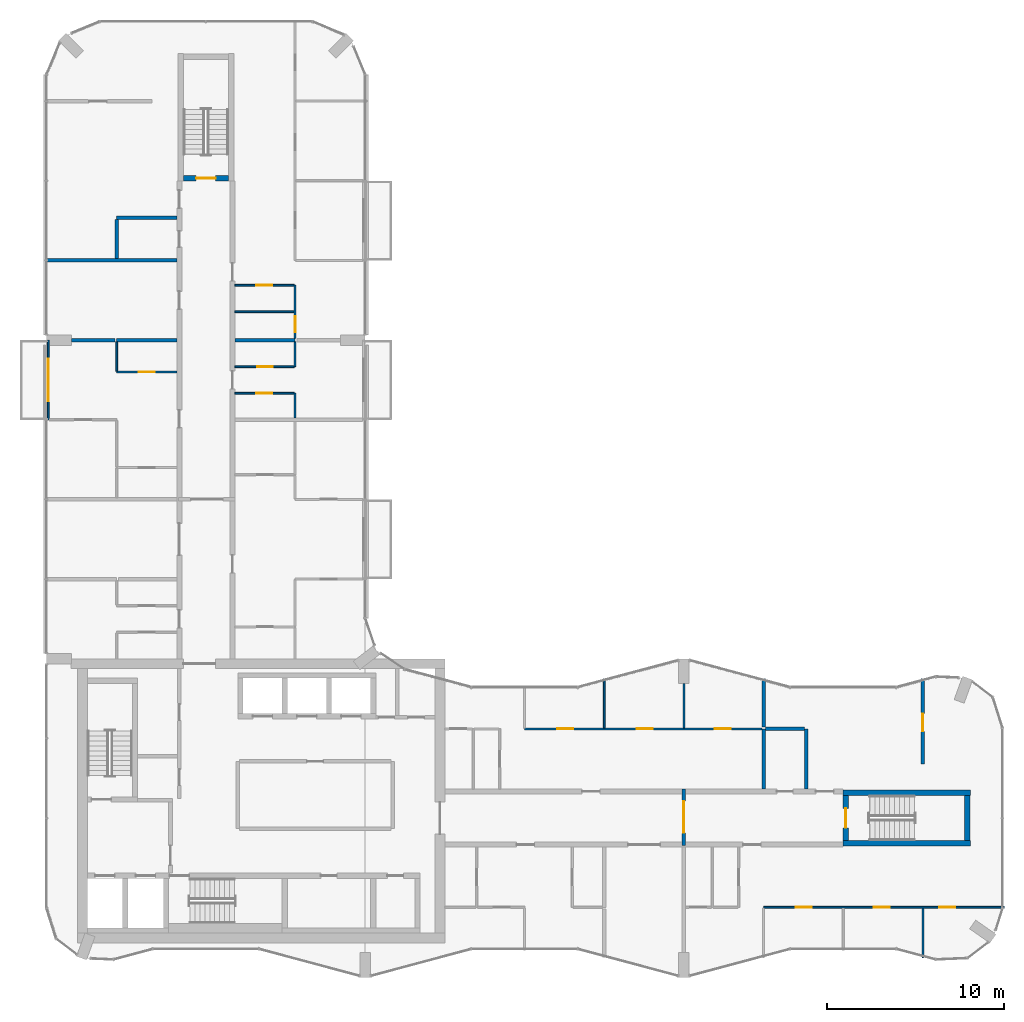
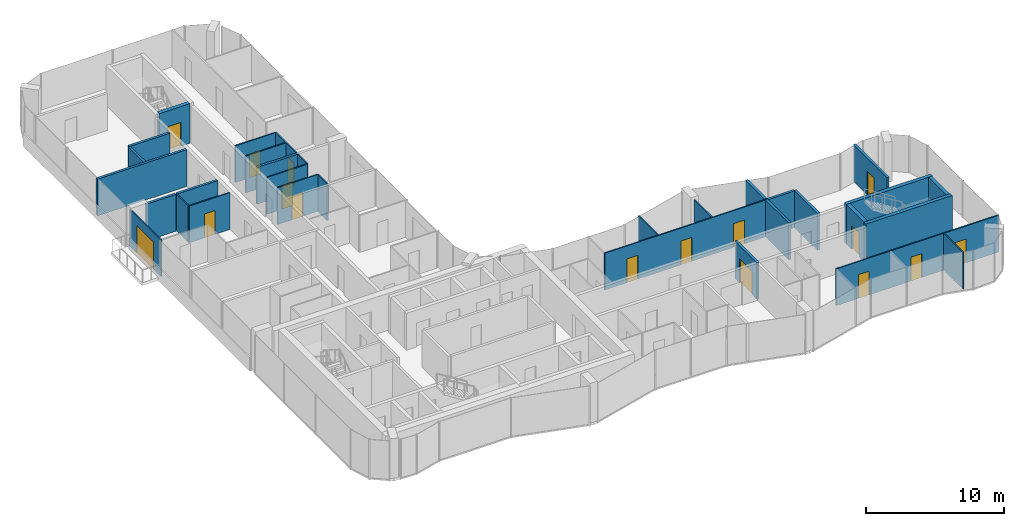
# One storey, part 12 of 15: 32 walls, 16 doors, 16 openings.
"""IFC4 building model written with IfcOpenShell, lengths in metres."""

from ifc_helpers import new_model, si_unit, direction, frame, frame_2d, origin, place, context, subcontext, project, spatial, rectangle, extrude, material, layer, layer_set, type_object, element, fill, save


model = new_model("IFC4")

# Units and contexts
model_context = context("Model", 3, precision=1e-05, world=origin(), true_north=direction((0.0, 1.0)))
body_context = subcontext(model_context, "Body", "Model", "MODEL_VIEW")
ifc_project = project(units=[si_unit("LENGTHUNIT", "METRE"), si_unit("AREAUNIT", "SQUARE_METRE"), si_unit("VOLUMEUNIT", "CUBIC_METRE"), si_unit("PLANEANGLEUNIT", "RADIAN"), si_unit("MASSUNIT", "GRAM", prefix="KILO")], contexts=[model_context])

# Site, building, storey
site_placement = place(None, origin())
site = spatial("IfcSite", under=ifc_project, at=site_placement, CompositionType="ELEMENT")
building_placement = place(site_placement, origin())
building = spatial("IfcBuilding", under=site, at=building_placement, Name="Plateau Cross Towers", CompositionType="ELEMENT")
storey_placement = place(building_placement, frame((0.0, 0.0, 208.39990234375)))
storey = spatial("IfcBuildingStorey", under=building, at=storey_placement, Name="L54", CompositionType="ELEMENT", Elevation=208.39990234375)

# Wall, opening, door
ifc_material_1 = material(Name="Aluminium framed glazing", Category="aluminium")
ifc_layer_1 = layer(ifc_material_1, 0.10009765625)
ifc_layer_set_1 = layer_set([ifc_layer_1], Name="Aluminium framed glazing")
wall_type_1 = type_object("IfcWallType", Name="Balcony screen wall 100", PredefinedType="STANDARD", material=ifc_layer_set_1)
wall_1_placement = place(storey_placement, frame((0.10009765625, 31.5, 0.0), z_axis=(0.0, 0.0, 1.0), x_axis=(0.0, 1.0, 0.0)))
wall_1 = element("IfcWall", 1, at=wall_1_placement, inside=storey, type_object=wall_type_1, Name="Balcony screen wall A-BAL-L54-01", PredefinedType="STANDARD", context=body_context, shape_type="SweptSolid", body=[
    extrude(rectangle(XDim=4.5, YDim=0.10009765625, at=frame_2d((2.25, 0.0))), origin(), (0.0, 0.0, 1.0), 3.25),
])
opening_1_placement = place(wall_1_placement, frame((1.050048828125, 0.0, 0.0)))
opening_1 = element("IfcOpeningElement", 2, at=opening_1_placement, cuts=wall_1, Name="Opening D-B24", PredefinedType="OPENING", context=body_context, shape_type="SweptSolid", body=[
    extrude(rectangle(XDim=2.39990234375, YDim=2.39990234375, at=frame_2d((1.199951171875, 1.199951171875))), frame((0.0, 0.06005859375, 0.0), z_axis=(0.0, -1.0, 0.0), x_axis=(1.0, 0.0, 0.0)), (0.0, 0.0, 1.0), 0.1201171875),
])
ifc_material_2 = material(Name="Aluminium frame, double glazing", Category="aluminium")
door_type_1 = type_object("IfcDoorType", Name="Balcony sliding door 2400", OperationType="NOTDEFINED", PredefinedType="DOOR", material=ifc_material_2)
door_1_placement = place(opening_1_placement, origin())
door_1 = element("IfcDoor", 3, at=door_1_placement, inside=storey, type_object=door_type_1, Name="Balcony door A-BAL-L54-01", OperationType="SINGLE_SWING_LEFT", OverallHeight=2.39990234375, OverallWidth=2.39990234375, PredefinedType="DOOR", context=body_context, shape_type="SweptSolid", body=[
    extrude(rectangle(XDim=2.39990234375, YDim=2.39990234375, at=frame_2d((1.199951171875, 1.199951171875))), frame((0.0, 0.02490234375, 0.0), z_axis=(0.0, -1.0, 0.0), x_axis=(1.0, 0.0, 0.0)), (0.0, 0.0, 1.0), 0.050048828125),
])
fill(opening_1, door_1)

# Wall, openings, doors
ifc_material_3 = material(Name="Gypsum board on steel studs", Category="steel")
ifc_layer_2 = layer(ifc_material_3, 0.10009765625)
ifc_layer_set_2 = layer_set([ifc_layer_2], Name="Gypsum board on steel studs")
wall_type_2 = type_object("IfcWallType", Name="Flat partition 100", PredefinedType="PARTITIONING", material=ifc_layer_set_2)
wall_2_placement = place(storey_placement, frame((54.080078125, 3.96240234375, 0.0), z_axis=(0.0, 0.0, 1.0), x_axis=(-1.0, 0.0, 0.0)))
wall_2 = element("IfcWall", 4, at=wall_2_placement, inside=storey, type_object=wall_type_2, Name="Partition wall", PredefinedType="PARTITIONING", context=body_context, shape_type="SweptSolid", body=[
    extrude(rectangle(XDim=13.580078125, YDim=0.10009765625, at=frame_2d((6.7900390625, 0.0))), origin(), (0.0, 0.0, 1.0), 3.25),
])
opening_2_placement = place(wall_2_placement, frame((10.85009765625, 0.0, 0.0)))
opening_2 = element("IfcOpeningElement", 5, at=opening_2_placement, cuts=wall_2, Name="Opening 54-25", PredefinedType="OPENING", context=body_context, shape_type="SweptSolid", body=[
    extrude(rectangle(XDim=0.89990234375, YDim=2.10009765625, at=frame_2d((0.449951171875, 1.050048828125))), frame((0.0, 0.06005859375, 0.0), z_axis=(0.0, -1.0, 0.0), x_axis=(1.0, 0.0, 0.0)), (0.0, 0.0, 1.0), 0.1201171875),
])
opening_3_placement = place(wall_2_placement, frame((6.449951171875, 0.0, 0.0)))
opening_3 = element("IfcOpeningElement", 6, at=opening_3_placement, cuts=wall_2, Name="Opening 54-26", PredefinedType="OPENING", context=body_context, shape_type="SweptSolid", body=[
    extrude(rectangle(XDim=0.89990234375, YDim=2.10009765625, at=frame_2d((0.449951171875, 1.050048828125))), frame((0.0, 0.06005859375, 0.0), z_axis=(0.0, -1.0, 0.0), x_axis=(1.0, 0.0, 0.0)), (0.0, 0.0, 1.0), 0.1201171875),
])
opening_4_placement = place(wall_2_placement, frame((2.75, 0.0, 0.0)))
opening_4 = element("IfcOpeningElement", 7, at=opening_4_placement, cuts=wall_2, Name="Opening 54-27", PredefinedType="OPENING", context=body_context, shape_type="SweptSolid", body=[
    extrude(rectangle(XDim=0.89990234375, YDim=2.10009765625, at=frame_2d((0.449951171875, 1.050048828125))), frame((0.0, 0.06005859375, 0.0), z_axis=(0.0, -1.0, 0.0), x_axis=(1.0, 0.0, 0.0)), (0.0, 0.0, 1.0), 0.1201171875),
])
ifc_material_4 = material(Name="Timber leaf", Category="wood")
door_type_2 = type_object("IfcDoorType", Name="Flat room door 900", OperationType="NOTDEFINED", PredefinedType="DOOR", material=ifc_material_4)
door_2_placement = place(opening_2_placement, origin())
door_2 = element("IfcDoor", 8, at=door_2_placement, inside=storey, type_object=door_type_2, Name="Door 54-25", OperationType="SINGLE_SWING_RIGHT", OverallHeight=2.10009765625, OverallWidth=0.89990234375, PredefinedType="DOOR", context=body_context, shape_type="SweptSolid", body=[
    extrude(rectangle(XDim=0.89990234375, YDim=2.10009765625, at=frame_2d((0.449951171875, 1.050048828125))), frame((0.0, 0.02490234375, 0.0), z_axis=(0.0, -1.0, 0.0), x_axis=(1.0, 0.0, 0.0)), (0.0, 0.0, 1.0), 0.050048828125),
])
fill(opening_2, door_2)
door_3_placement = place(opening_3_placement, origin())
door_3 = element("IfcDoor", 9, at=door_3_placement, inside=storey, type_object=door_type_2, Name="Door 54-26", OperationType="SINGLE_SWING_RIGHT", OverallHeight=2.10009765625, OverallWidth=0.89990234375, PredefinedType="DOOR", context=body_context, shape_type="SweptSolid", body=[
    extrude(rectangle(XDim=0.89990234375, YDim=2.10009765625, at=frame_2d((0.449951171875, 1.050048828125))), frame((0.0, 0.02490234375, 0.0), z_axis=(0.0, -1.0, 0.0), x_axis=(1.0, 0.0, 0.0)), (0.0, 0.0, 1.0), 0.050048828125),
])
fill(opening_3, door_3)
door_4_placement = place(opening_4_placement, origin())
door_4 = element("IfcDoor", 10, at=door_4_placement, inside=storey, type_object=door_type_2, Name="Door 54-27", OperationType="SINGLE_SWING_LEFT", OverallHeight=2.10009765625, OverallWidth=0.89990234375, PredefinedType="DOOR", context=body_context, shape_type="SweptSolid", body=[
    extrude(rectangle(XDim=0.89990234375, YDim=2.10009765625, at=frame_2d((0.449951171875, 1.050048828125))), frame((0.0, 0.02490234375, 0.0), z_axis=(0.0, -1.0, 0.0), x_axis=(1.0, 0.0, 0.0)), (0.0, 0.0, 1.0), 0.050048828125),
])
fill(opening_4, door_4)

wall_3_placement = place(storey_placement, frame((27.0, 14.03759765625, 0.0), z_axis=(0.0, 0.0, 1.0), x_axis=(1.0, 0.0, 0.0)))
wall_3 = element("IfcWall", 11, at=wall_3_placement, inside=storey, type_object=wall_type_2, Name="Partition wall", PredefinedType="PARTITIONING", context=body_context, shape_type="SweptSolid", body=[
    extrude(rectangle(XDim=13.39990234375, YDim=0.10009765625, at=frame_2d((6.699951171875, 0.0))), origin(), (0.0, 0.0, 1.0), 3.25),
])
opening_5_placement = place(wall_3_placement, frame((1.85009765625, 0.0, 0.0)))
opening_5 = element("IfcOpeningElement", 12, at=opening_5_placement, cuts=wall_3, Name="Opening 54-30", PredefinedType="OPENING", context=body_context, shape_type="SweptSolid", body=[
    extrude(rectangle(XDim=0.89990234375, YDim=2.10009765625, at=frame_2d((0.449951171875, 1.050048828125))), frame((0.0, 0.06005859375, 0.0), z_axis=(0.0, -1.0, 0.0), x_axis=(1.0, 0.0, 0.0)), (0.0, 0.0, 1.0), 0.1201171875),
])
opening_6_placement = place(wall_3_placement, frame((6.35009765625, 0.0, 0.0)))
opening_6 = element("IfcOpeningElement", 13, at=opening_6_placement, cuts=wall_3, Name="Opening 54-31", PredefinedType="OPENING", context=body_context, shape_type="SweptSolid", body=[
    extrude(rectangle(XDim=0.89990234375, YDim=2.10009765625, at=frame_2d((0.449951171875, 1.050048828125))), frame((0.0, 0.06005859375, 0.0), z_axis=(0.0, -1.0, 0.0), x_axis=(1.0, 0.0, 0.0)), (0.0, 0.0, 1.0), 0.1201171875),
])
opening_7_placement = place(wall_3_placement, frame((10.75, 0.0, 0.0)))
opening_7 = element("IfcOpeningElement", 14, at=opening_7_placement, cuts=wall_3, Name="Opening 54-32", PredefinedType="OPENING", context=body_context, shape_type="SweptSolid", body=[
    extrude(rectangle(XDim=0.89990234375, YDim=2.10009765625, at=frame_2d((0.449951171875, 1.050048828125))), frame((0.0, 0.06005859375, 0.0), z_axis=(0.0, -1.0, 0.0), x_axis=(1.0, 0.0, 0.0)), (0.0, 0.0, 1.0), 0.1201171875),
])
door_5_placement = place(opening_5_placement, origin())
door_5 = element("IfcDoor", 15, at=door_5_placement, inside=storey, type_object=door_type_2, Name="Door 54-30", OperationType="SINGLE_SWING_LEFT", OverallHeight=2.10009765625, OverallWidth=0.89990234375, PredefinedType="DOOR", context=body_context, shape_type="SweptSolid", body=[
    extrude(rectangle(XDim=0.89990234375, YDim=2.10009765625, at=frame_2d((0.449951171875, 1.050048828125))), frame((0.0, 0.02490234375, 0.0), z_axis=(0.0, -1.0, 0.0), x_axis=(1.0, 0.0, 0.0)), (0.0, 0.0, 1.0), 0.050048828125),
])
fill(opening_5, door_5)
door_6_placement = place(opening_6_placement, origin())
door_6 = element("IfcDoor", 16, at=door_6_placement, inside=storey, type_object=door_type_2, Name="Door 54-31", OperationType="SINGLE_SWING_RIGHT", OverallHeight=2.10009765625, OverallWidth=0.89990234375, PredefinedType="DOOR", context=body_context, shape_type="SweptSolid", body=[
    extrude(rectangle(XDim=0.89990234375, YDim=2.10009765625, at=frame_2d((0.449951171875, 1.050048828125))), frame((0.0, 0.02490234375, 0.0), z_axis=(0.0, -1.0, 0.0), x_axis=(1.0, 0.0, 0.0)), (0.0, 0.0, 1.0), 0.050048828125),
])
fill(opening_6, door_6)
door_7_placement = place(opening_7_placement, origin())
door_7 = element("IfcDoor", 17, at=door_7_placement, inside=storey, type_object=door_type_2, Name="Door 54-32", OperationType="SINGLE_SWING_RIGHT", OverallHeight=2.10009765625, OverallWidth=0.89990234375, PredefinedType="DOOR", context=body_context, shape_type="SweptSolid", body=[
    extrude(rectangle(XDim=0.89990234375, YDim=2.10009765625, at=frame_2d((0.449951171875, 1.050048828125))), frame((0.0, 0.02490234375, 0.0), z_axis=(0.0, -1.0, 0.0), x_axis=(1.0, 0.0, 0.0)), (0.0, 0.0, 1.0), 0.050048828125),
])
fill(opening_7, door_7)

# Wall, opening, door
wall_4_placement = place(storey_placement, frame((13.987548828125, 33.0, 0.0), z_axis=(0.0, 0.0, 1.0), x_axis=(-1.0, 0.0, 0.0)))
wall_4 = element("IfcWall", 18, at=wall_4_placement, inside=storey, type_object=wall_type_2, Name="Partition wall", PredefinedType="PARTITIONING", context=body_context, shape_type="SweptSolid", body=[
    extrude(rectangle(XDim=3.35009765625, YDim=0.10009765625, at=frame_2d((1.675048828125, 0.0))), origin(), (0.0, 0.0, 1.0), 3.25),
])
opening_8_placement = place(wall_4_placement, frame((1.25, 0.0, 0.0)))
opening_8 = element("IfcOpeningElement", 19, at=opening_8_placement, cuts=wall_4, Name="Opening 54-42", PredefinedType="OPENING", context=body_context, shape_type="SweptSolid", body=[
    extrude(rectangle(XDim=0.89990234375, YDim=2.10009765625, at=frame_2d((0.449951171875, 1.050048828125))), frame((0.0, 0.06005859375, 0.0), z_axis=(0.0, -1.0, 0.0), x_axis=(1.0, 0.0, 0.0)), (0.0, 0.0, 1.0), 0.1201171875),
])
door_8_placement = place(opening_8_placement, origin())
door_8 = element("IfcDoor", 20, at=door_8_placement, inside=storey, type_object=door_type_2, Name="Door 54-42", OperationType="SINGLE_SWING_RIGHT", OverallHeight=2.10009765625, OverallWidth=0.89990234375, PredefinedType="DOOR", context=body_context, shape_type="SweptSolid", body=[
    extrude(rectangle(XDim=0.89990234375, YDim=2.10009765625, at=frame_2d((0.449951171875, 1.050048828125))), frame((0.0, 0.02490234375, 0.0), z_axis=(0.0, -1.0, 0.0), x_axis=(1.0, 0.0, 0.0)), (0.0, 0.0, 1.0), 0.050048828125),
])
fill(opening_8, door_8)

wall_5_placement = place(storey_placement, frame((3.96240234375, 34.199951171875, 0.0), z_axis=(0.0, 0.0, 1.0), x_axis=(1.0, 0.0, 0.0)))
wall_5 = element("IfcWall", 21, at=wall_5_placement, inside=storey, type_object=wall_type_2, Name="Partition wall", PredefinedType="PARTITIONING", context=body_context, shape_type="SweptSolid", body=[
    extrude(rectangle(XDim=3.400146484375, YDim=0.10009765625, at=frame_2d((1.7001953125, 0.0))), origin(), (0.0, 0.0, 1.0), 3.25),
])
opening_9_placement = place(wall_5_placement, frame((1.25, 0.0, 0.0)))
opening_9 = element("IfcOpeningElement", 22, at=opening_9_placement, cuts=wall_5, Name="Opening 54-36", PredefinedType="OPENING", context=body_context, shape_type="SweptSolid", body=[
    extrude(rectangle(XDim=0.89990234375, YDim=2.10009765625, at=frame_2d((0.449951171875, 1.050048828125))), frame((0.0, 0.06005859375, 0.0), z_axis=(0.0, -1.0, 0.0), x_axis=(1.0, 0.0, 0.0)), (0.0, 0.0, 1.0), 0.1201171875),
])
door_9_placement = place(opening_9_placement, origin())
door_9 = element("IfcDoor", 23, at=door_9_placement, inside=storey, type_object=door_type_2, Name="Door 54-36", OperationType="SINGLE_SWING_LEFT", OverallHeight=2.10009765625, OverallWidth=0.89990234375, PredefinedType="DOOR", context=body_context, shape_type="SweptSolid", body=[
    extrude(rectangle(XDim=0.89990234375, YDim=2.10009765625, at=frame_2d((0.449951171875, 1.050048828125))), frame((0.0, 0.02490234375, 0.0), z_axis=(0.0, -1.0, 0.0), x_axis=(1.0, 0.0, 0.0)), (0.0, 0.0, 1.0), 0.050048828125),
])
fill(opening_9, door_9)

wall_6_placement = place(storey_placement, frame((10.637451171875, 34.5, 0.0), z_axis=(0.0, 0.0, 1.0), x_axis=(1.0, 0.0, 0.0)))
wall_6 = element("IfcWall", 24, at=wall_6_placement, inside=storey, type_object=wall_type_2, Name="Partition wall", PredefinedType="PARTITIONING", context=body_context, shape_type="SweptSolid", body=[
    extrude(rectangle(XDim=3.35009765625, YDim=0.10009765625, at=frame_2d((1.675048828125, 0.0))), origin(), (0.0, 0.0, 1.0), 3.25),
])
opening_10_placement = place(wall_6_placement, frame((1.25, 0.0, 0.0)))
opening_10 = element("IfcOpeningElement", 25, at=opening_10_placement, cuts=wall_6, Name="Opening 54-43", PredefinedType="OPENING", context=body_context, shape_type="SweptSolid", body=[
    extrude(rectangle(XDim=0.89990234375, YDim=2.10009765625, at=frame_2d((0.449951171875, 1.050048828125))), frame((0.0, 0.06005859375, 0.0), z_axis=(0.0, -1.0, 0.0), x_axis=(1.0, 0.0, 0.0)), (0.0, 0.0, 1.0), 0.1201171875),
])
door_10_placement = place(opening_10_placement, origin())
door_10 = element("IfcDoor", 26, at=door_10_placement, inside=storey, type_object=door_type_2, Name="Door 54-43", OperationType="SINGLE_SWING_RIGHT", OverallHeight=2.10009765625, OverallWidth=0.89990234375, PredefinedType="DOOR", context=body_context, shape_type="SweptSolid", body=[
    extrude(rectangle(XDim=0.89990234375, YDim=2.10009765625, at=frame_2d((0.449951171875, 1.050048828125))), frame((0.0, 0.02490234375, 0.0), z_axis=(0.0, -1.0, 0.0), x_axis=(1.0, 0.0, 0.0)), (0.0, 0.0, 1.0), 0.050048828125),
])
fill(opening_10, door_10)

# Wall
wall_7_placement = place(storey_placement, frame((13.987548828125, 37.60009765625, 0.0), z_axis=(0.0, 0.0, 1.0), x_axis=(-1.0, 0.0, 0.0)))
element("IfcWall", 27, at=wall_7_placement, inside=storey, type_object=wall_type_2, Name="Partition wall", PredefinedType="PARTITIONING", context=body_context, shape_type="SweptSolid", body=[
    extrude(rectangle(XDim=3.35009765625, YDim=0.10009765625, at=frame_2d((1.675048828125, 0.0))), origin(), (0.0, 0.0, 1.0), 3.25),
])

# Wall, opening, door
wall_8_placement = place(storey_placement, frame((13.987548828125, 39.10009765625, 0.0), z_axis=(0.0, 0.0, 1.0), x_axis=(-1.0, 0.0, 0.0)))
wall_8 = element("IfcWall", 28, at=wall_8_placement, inside=storey, type_object=wall_type_2, Name="Partition wall", PredefinedType="PARTITIONING", context=body_context, shape_type="SweptSolid", body=[
    extrude(rectangle(XDim=3.35009765625, YDim=0.10009765625, at=frame_2d((1.675048828125, 0.0))), origin(), (0.0, 0.0, 1.0), 3.25),
])
opening_11_placement = place(wall_8_placement, frame((1.25, 0.0, 0.0)))
opening_11 = element("IfcOpeningElement", 29, at=opening_11_placement, cuts=wall_8, Name="Opening 54-45", PredefinedType="OPENING", context=body_context, shape_type="SweptSolid", body=[
    extrude(rectangle(XDim=0.89990234375, YDim=2.10009765625, at=frame_2d((0.449951171875, 1.050048828125))), frame((0.0, 0.06005859375, 0.0), z_axis=(0.0, -1.0, 0.0), x_axis=(1.0, 0.0, 0.0)), (0.0, 0.0, 1.0), 0.1201171875),
])
door_11_placement = place(opening_11_placement, origin())
door_11 = element("IfcDoor", 30, at=door_11_placement, inside=storey, type_object=door_type_2, Name="Door 54-45", OperationType="SINGLE_SWING_RIGHT", OverallHeight=2.10009765625, OverallWidth=0.89990234375, PredefinedType="DOOR", context=body_context, shape_type="SweptSolid", body=[
    extrude(rectangle(XDim=0.89990234375, YDim=2.10009765625, at=frame_2d((0.449951171875, 1.050048828125))), frame((0.0, 0.02490234375, 0.0), z_axis=(0.0, -1.0, 0.0), x_axis=(1.0, 0.0, 0.0)), (0.0, 0.0, 1.0), 0.050048828125),
])
fill(opening_11, door_11)

# Walls
wall_9_placement = place(storey_placement, frame((3.96240234375, 35.89990234375, 0.0), z_axis=(0.0, 0.0, 1.0), x_axis=(0.0, -1.0, 0.0)))
element("IfcWall", 31, at=wall_9_placement, inside=storey, type_object=wall_type_2, Name="Partition wall", PredefinedType="PARTITIONING", context=body_context, shape_type="SweptSolid", body=[
    extrude(rectangle(XDim=1.64990234375, YDim=0.10009765625, at=frame_2d((0.824951171875, 0.0))), origin(), (0.0, 0.0, 1.0), 3.25),
])
for number, where, z_axis, x_axis, name in (
    (32, (14.03759765625, 31.60009765625, 0.0), (0.0, 0.0, 1.0), (0.0, 1.0, 0.0), "Partition wall"),
    (33, (14.03759765625, 34.5, 0.0), (0.0, 0.0, 1.0), (0.0, 1.0, 0.0), "Partition wall"),
):
    element("IfcWall", number, at=place(storey_placement, frame(where, z_axis=z_axis, x_axis=x_axis)), inside=storey, type_object=wall_type_2, Name=name, PredefinedType="PARTITIONING", context=body_context, shape_type="SweptSolid", body=[
        extrude(rectangle(XDim=1.39990234375, YDim=0.10009765625, at=frame_2d((0.699951171875, 0.0))), origin(), (0.0, 0.0, 1.0), 3.25),
    ])

# Wall, opening, door
wall_10_placement = place(storey_placement, frame((14.03759765625, 36.10009765625, 0.0), z_axis=(0.0, 0.0, 1.0), x_axis=(0.0, 1.0, 0.0)))
wall_10 = element("IfcWall", 34, at=wall_10_placement, inside=storey, type_object=wall_type_2, Name="Partition wall", PredefinedType="PARTITIONING", context=body_context, shape_type="SweptSolid", body=[
    extrude(rectangle(XDim=3.0, YDim=0.10009765625, at=frame_2d((1.5, 0.0))), origin(), (0.0, 0.0, 1.0), 3.25),
])
opening_12_placement = place(wall_10_placement, frame((0.35009765625, 0.0, 0.0)))
opening_12 = element("IfcOpeningElement", 35, at=opening_12_placement, cuts=wall_10, Name="Opening 54-44", PredefinedType="OPENING", context=body_context, shape_type="SweptSolid", body=[
    extrude(rectangle(XDim=0.89990234375, YDim=2.10009765625, at=frame_2d((0.449951171875, 1.050048828125))), frame((0.0, 0.06005859375, 0.0), z_axis=(0.0, -1.0, 0.0), x_axis=(1.0, 0.0, 0.0)), (0.0, 0.0, 1.0), 0.1201171875),
])
door_12_placement = place(opening_12_placement, origin())
door_12 = element("IfcDoor", 36, at=door_12_placement, inside=storey, type_object=door_type_2, Name="Door 54-44", OperationType="SINGLE_SWING_LEFT", OverallHeight=2.10009765625, OverallWidth=0.89990234375, PredefinedType="DOOR", context=body_context, shape_type="SweptSolid", body=[
    extrude(rectangle(XDim=0.89990234375, YDim=2.10009765625, at=frame_2d((0.449951171875, 1.050048828125))), frame((0.0, 0.02490234375, 0.0), z_axis=(0.0, -1.0, 0.0), x_axis=(1.0, 0.0, 0.0)), (0.0, 0.0, 1.0), 0.050048828125),
])
fill(opening_12, door_12)

# Walls
wall_11_placement = place(storey_placement, frame((31.5, 14.08740234375, 0.0), z_axis=(0.0, 0.0, 1.0), x_axis=(0.0, 1.0, 0.0)))
element("IfcWall", 37, at=wall_11_placement, inside=storey, type_object=wall_type_2, Name="Partition wall", PredefinedType="PARTITIONING", context=body_context, shape_type="SweptSolid", body=[
    extrude(rectangle(XDim=2.790283203125, YDim=0.10009765625, at=frame_2d((1.39501953125, 0.0))), origin(), (0.0, 0.0, 1.0), 3.25),
])
wall_12_placement = place(storey_placement, frame((36.0, 14.08740234375, 0.0), z_axis=(0.0, 0.0, 1.0), x_axis=(0.0, 1.0, 0.0)))
element("IfcWall", 38, at=wall_12_placement, inside=storey, type_object=wall_type_2, Name="Partition wall", PredefinedType="PARTITIONING", context=body_context, shape_type="SweptSolid", body=[
    extrude(rectangle(XDim=2.5126953125, YDim=0.10009765625, at=frame_2d((1.25634765625, 0.0))), origin(), (0.0, 0.0, 1.0), 3.25),
])
wall_13_placement = place(storey_placement, frame((49.5, 1.122314453125, 0.0), z_axis=(0.0, 0.0, 1.0), x_axis=(0.0, 1.0, 0.0)))
element("IfcWall", 39, at=wall_13_placement, inside=storey, type_object=wall_type_2, Name="Partition wall", PredefinedType="PARTITIONING", context=body_context, shape_type="SweptSolid", body=[
    extrude(rectangle(XDim=2.790283203125, YDim=0.10009765625, at=frame_2d((1.39501953125, 0.0))), origin(), (0.0, 0.0, 1.0), 3.25),
])
ifc_material_5 = material(Name="Gypsum board on steel studs, two layers each side", Category="steel")
ifc_layer_3 = layer(ifc_material_5, 0.199951171875)
ifc_layer_set_3 = layer_set([ifc_layer_3], Name="Gypsum board on steel studs, two layers each side")
wall_type_3 = type_object("IfcWallType", Name="Flat party wall 200", PredefinedType="PARTITIONING", material=ifc_layer_set_3)
wall_14_placement = place(storey_placement, frame((42.800048828125, 14.03759765625, 0.0), z_axis=(0.0, 0.0, 1.0), x_axis=(-1.0, 0.0, 0.0)))
element("IfcWall", 40, at=wall_14_placement, inside=storey, type_object=wall_type_3, Name="Party wall", PredefinedType="PARTITIONING", context=body_context, shape_type="SweptSolid", body=[
    extrude(rectangle(XDim=2.199951171875, YDim=0.199951171875, at=frame_2d((1.10009765625, 0.0))), origin(), (0.0, 0.0, 1.0), 3.25),
])
for number, where, z_axis, x_axis, name in (
    (41, (7.362548828125, 36.0, 0.0), (0.0, 0.0, 1.0), (-1.0, 0.0, 0.0), "Party wall"),
    (42, (14.03759765625, 36.0, 0.0), (0.0, 0.0, 1.0), (-1.0, 0.0, 0.0), "Party wall"),
):
    element("IfcWall", number, at=place(storey_placement, frame(where, z_axis=z_axis, x_axis=x_axis)), inside=storey, type_object=wall_type_3, Name=name, PredefinedType="PARTITIONING", context=body_context, shape_type="SweptSolid", body=[
        extrude(rectangle(XDim=3.400146484375, YDim=0.199951171875, at=frame_2d((1.7001953125, 0.0))), origin(), (0.0, 0.0, 1.0), 3.25),
    ])
wall_15_placement = place(storey_placement, frame((1.39990234375, 36.0, 0.0), z_axis=(0.0, 0.0, 1.0), x_axis=(1.0, 0.0, 0.0)))
element("IfcWall", 43, at=wall_15_placement, inside=storey, type_object=wall_type_3, Name="Party wall", PredefinedType="PARTITIONING", context=body_context, shape_type="SweptSolid", body=[
    extrude(rectangle(XDim=2.462646484375, YDim=0.199951171875, at=frame_2d((1.2314453125, 0.0))), origin(), (0.0, 0.0, 1.0), 3.25),
])
wall_16_placement = place(storey_placement, frame((7.362548828125, 40.5, 0.0), z_axis=(0.0, 0.0, 1.0), x_axis=(-1.0, 0.0, 0.0)))
element("IfcWall", 44, at=wall_16_placement, inside=storey, type_object=wall_type_3, Name="Party wall", PredefinedType="PARTITIONING", context=body_context, shape_type="SweptSolid", body=[
    extrude(rectangle(XDim=7.442626953125, YDim=0.199951171875, at=frame_2d((3.72119140625, 0.0))), origin(), (0.0, 0.0, 1.0), 3.25),
])
wall_17_placement = place(storey_placement, frame((7.362548828125, 42.89990234375, 0.0), z_axis=(0.0, 0.0, 1.0), x_axis=(-1.0, 0.0, 0.0)))
element("IfcWall", 45, at=wall_17_placement, inside=storey, type_object=wall_type_3, Name="Party wall", PredefinedType="PARTITIONING", context=body_context, shape_type="SweptSolid", body=[
    extrude(rectangle(XDim=3.400146484375, YDim=0.199951171875, at=frame_2d((1.7001953125, 0.0))), origin(), (0.0, 0.0, 1.0), 3.25),
])
wall_18_placement = place(storey_placement, frame((3.96240234375, 42.800048828125, 0.0), z_axis=(0.0, 0.0, 1.0), x_axis=(0.0, -1.0, 0.0)))
element("IfcWall", 46, at=wall_18_placement, inside=storey, type_object=wall_type_3, Name="Party wall", PredefinedType="PARTITIONING", context=body_context, shape_type="SweptSolid", body=[
    extrude(rectangle(XDim=2.199951171875, YDim=0.199951171875, at=frame_2d((1.10009765625, 0.0))), origin(), (0.0, 0.0, 1.0), 3.25),
])
wall_19_placement = place(storey_placement, frame((40.5, 14.03759765625, 0.0), z_axis=(0.0, 0.0, 1.0), x_axis=(0.0, -1.0, 0.0)))
element("IfcWall", 47, at=wall_19_placement, inside=storey, type_object=wall_type_3, Name="Party wall", PredefinedType="PARTITIONING", context=body_context, shape_type="SweptSolid", body=[
    extrude(rectangle(XDim=3.400146484375, YDim=0.199951171875, at=frame_2d((1.7001953125, 0.0))), origin(), (0.0, 0.0, 1.0), 3.25),
])
wall_20_placement = place(storey_placement, frame((40.5, 14.137451171875, 0.0), z_axis=(0.0, 0.0, 1.0), x_axis=(0.0, 1.0, 0.0)))
element("IfcWall", 48, at=wall_20_placement, inside=storey, type_object=wall_type_3, Name="Party wall", PredefinedType="PARTITIONING", context=body_context, shape_type="SweptSolid", body=[
    extrude(rectangle(XDim=2.740234375, YDim=0.199951171875, at=frame_2d((1.3701171875, 0.0))), origin(), (0.0, 0.0, 1.0), 3.25),
])
wall_21_placement = place(storey_placement, frame((42.89990234375, 10.637451171875, 0.0), z_axis=(0.0, 0.0, 1.0), x_axis=(0.0, 1.0, 0.0)))
element("IfcWall", 49, at=wall_21_placement, inside=storey, type_object=wall_type_3, Name="Party wall", PredefinedType="PARTITIONING", context=body_context, shape_type="SweptSolid", body=[
    extrude(rectangle(XDim=3.400146484375, YDim=0.199951171875, at=frame_2d((1.7001953125, 0.0))), origin(), (0.0, 0.0, 1.0), 3.25),
])

# Wall, opening, door
wall_22_placement = place(storey_placement, frame((49.5, 12.050048828125, 0.0), z_axis=(0.0, 0.0, 1.0), x_axis=(0.0, 1.0, 0.0)))
wall_22 = element("IfcWall", 50, at=wall_22_placement, inside=storey, type_object=wall_type_3, Name="Party wall", PredefinedType="PARTITIONING", context=body_context, shape_type="SweptSolid", body=[
    extrude(rectangle(XDim=4.82763671875, YDim=0.199951171875, at=frame_2d((2.413818359375, 0.0))), origin(), (0.0, 0.0, 1.0), 3.25),
])
opening_13_placement = place(wall_22_placement, frame((1.85009765625, 0.0, 0.0)))
opening_13 = element("IfcOpeningElement", 51, at=opening_13_placement, cuts=wall_22, Name="Opening 54-18", PredefinedType="OPENING", context=body_context, shape_type="SweptSolid", body=[
    extrude(rectangle(XDim=1.0, YDim=2.10009765625, at=frame_2d((0.5, 1.050048828125))), frame((0.0, 0.10986328125, 0.0), z_axis=(0.0, -1.0, 0.0), x_axis=(1.0, 0.0, 0.0)), (0.0, 0.0, 1.0), 0.219970703125),
])
ifc_material_6 = material(Name="Timber, fire-resisting leaf", Category="wood")
door_type_3 = type_object("IfcDoorType", Name="Flat entrance door 1000", OperationType="NOTDEFINED", PredefinedType="DOOR", material=ifc_material_6)
door_13_placement = place(opening_13_placement, origin())
door_13 = element("IfcDoor", 52, at=door_13_placement, inside=storey, type_object=door_type_3, Name="Door 54-18", OperationType="SINGLE_SWING_LEFT", OverallHeight=2.10009765625, OverallWidth=1.0, PredefinedType="DOOR", context=body_context, shape_type="SweptSolid", body=[
    extrude(rectangle(XDim=1.0, YDim=2.10009765625, at=frame_2d((0.5, 1.050048828125))), frame((0.0, 0.02490234375, 0.0), z_axis=(0.0, -1.0, 0.0), x_axis=(1.0, 0.0, 0.0)), (0.0, 0.0, 1.0), 0.050048828125),
])
fill(opening_13, door_13)

wall_23_placement = place(storey_placement, frame((36.0, 7.46240234375, 0.0), z_axis=(0.0, 0.0, 1.0), x_axis=(0.0, 1.0, 0.0)))
wall_23 = element("IfcWall", 53, at=wall_23_placement, inside=storey, type_object=wall_type_3, Name="Party wall", PredefinedType="PARTITIONING", context=body_context, shape_type="SweptSolid", body=[
    extrude(rectangle(XDim=3.175048828125, YDim=0.199951171875, at=frame_2d((1.58740234375, 0.0))), origin(), (0.0, 0.0, 1.0), 3.25),
])
opening_14_placement = place(wall_23_placement, frame((0.699951171875, 0.0, 0.0)))
opening_14 = element("IfcOpeningElement", 54, at=opening_14_placement, cuts=wall_23, Name="Opening 54-16", PredefinedType="OPENING", context=body_context, shape_type="SweptSolid", body=[
    extrude(rectangle(XDim=1.800048828125, YDim=2.10009765625, at=frame_2d((0.89990234375, 1.050048828125))), frame((0.0, 0.10986328125, 0.0), z_axis=(0.0, -1.0, 0.0), x_axis=(1.0, 0.0, 0.0)), (0.0, 0.0, 1.0), 0.219970703125),
])
ifc_material_7 = material(Name="Timber, fire-resisting leaves", Category="wood")
door_type_4 = type_object("IfcDoorType", Name="Flat floor fire door pair 1800", OperationType="NOTDEFINED", PredefinedType="DOOR", material=ifc_material_7)
door_14_placement = place(opening_14_placement, origin())
door_14 = element("IfcDoor", 55, at=door_14_placement, inside=storey, type_object=door_type_4, Name="Door 54-16", OperationType="SINGLE_SWING_RIGHT", OverallHeight=2.10009765625, OverallWidth=1.800048828125, PredefinedType="DOOR", context=body_context, shape_type="SweptSolid", body=[
    extrude(rectangle(XDim=1.800048828125, YDim=2.10009765625, at=frame_2d((0.89990234375, 1.050048828125))), frame((0.0, 0.02490234375, 0.0), z_axis=(0.0, -1.0, 0.0), x_axis=(1.0, 0.0, 0.0)), (0.0, 0.0, 1.0), 0.050048828125),
])
fill(opening_14, door_14)

ifc_material_8 = material(Name="Concrete C60/75", Category="concrete")
ifc_layer_4 = layer(ifc_material_8, 0.300048828125)
ifc_layer_set_4 = layer_set([ifc_layer_4], Name="Concrete C60/75")
wall_type_4 = type_object("IfcWallType", Name="Stair tower wall 300", PredefinedType="SHEAR", material=ifc_layer_set_4)
wall_24_placement = place(storey_placement, frame((45.14990234375, 7.72509765625, 0.0), z_axis=(0.0, 0.0, 1.0), x_axis=(0.0, 1.0, 0.0)))
wall_24 = element("IfcWall", 56, at=wall_24_placement, inside=storey, type_object=wall_type_4, Name="A-end-E-W@L54", PredefinedType="SHEAR", context=body_context, shape_type="SweptSolid", body=[
    extrude(rectangle(XDim=2.5498046875, YDim=0.300048828125, at=frame_2d((1.27490234375, 0.0))), origin(), (0.0, 0.0, 1.0), 3.5),
])
opening_15_placement = place(wall_24_placement, frame((0.72509765625, 0.0, 0.0)))
opening_15 = element("IfcOpeningElement", 57, at=opening_15_placement, cuts=wall_24, Name="Opening SD", PredefinedType="OPENING", context=body_context, shape_type="SweptSolid", body=[
    extrude(rectangle(XDim=1.10009765625, YDim=2.10009765625, at=frame_2d((0.550048828125, 1.050048828125))), frame((0.0, 0.159912109375, 0.0), z_axis=(0.0, -1.0, 0.0), x_axis=(1.0, 0.0, 0.0)), (0.0, 0.0, 1.0), 0.320068359375),
])
ifc_material_9 = material(Name="Steel, fire-resisting leaf", Category="steel")
door_type_5 = type_object("IfcDoorType", Name="Stair door 1100", OperationType="NOTDEFINED", PredefinedType="DOOR", material=ifc_material_9)
door_15_placement = place(opening_15_placement, origin())
door_15 = element("IfcDoor", 58, at=door_15_placement, inside=storey, type_object=door_type_5, Name="Stair door SD", OperationType="SINGLE_SWING_LEFT", OverallHeight=2.10009765625, OverallWidth=1.10009765625, PredefinedType="DOOR", context=body_context, shape_type="SweptSolid", body=[
    extrude(rectangle(XDim=1.10009765625, YDim=2.10009765625, at=frame_2d((0.550048828125, 1.050048828125))), frame((0.0, 0.02490234375, 0.0), z_axis=(0.0, -1.0, 0.0), x_axis=(1.0, 0.0, 0.0)), (0.0, 0.0, 1.0), 0.050048828125),
])
fill(opening_15, door_15)

# Walls
wall_25_placement = place(storey_placement, frame((52.0, 7.72509765625, 0.0), z_axis=(0.0, 0.0, 1.0), x_axis=(0.0, 1.0, 0.0)))
element("IfcWall", 59, at=wall_25_placement, inside=storey, type_object=wall_type_4, Name="A-end-E-E@L54", PredefinedType="SHEAR", context=body_context, shape_type="SweptSolid", body=[
    extrude(rectangle(XDim=2.5498046875, YDim=0.300048828125, at=frame_2d((1.27490234375, 0.0))), origin(), (0.0, 0.0, 1.0), 3.5),
])
for number, where, z_axis, x_axis, name in (
    (60, (45.0, 7.574951171875, 0.0), (0.0, 0.0, 1.0), (1.0, 0.0, 0.0), "A-end-E-S@L54"),
    (61, (45.0, 10.425048828125, 0.0), (0.0, 0.0, 1.0), (1.0, 0.0, 0.0), "A-end-E-N@L54"),
):
    element("IfcWall", number, at=place(storey_placement, frame(where, z_axis=z_axis, x_axis=x_axis)), inside=storey, type_object=wall_type_4, Name=name, PredefinedType="SHEAR", context=body_context, shape_type="SweptSolid", body=[
        extrude(rectangle(XDim=7.199951171875, YDim=0.300048828125, at=frame_2d((3.60009765625, 0.0))), origin(), (0.0, 0.0, 1.0), 3.5),
    ])

# Wall, opening, door
wall_26_placement = place(storey_placement, frame((7.72509765625, 45.14990234375, 0.0), z_axis=(0.0, 0.0, 1.0), x_axis=(1.0, 0.0, 0.0)))
wall_26 = element("IfcWall", 62, at=wall_26_placement, inside=storey, type_object=wall_type_4, Name="A-end-N-S@L54", PredefinedType="SHEAR", context=body_context, shape_type="SweptSolid", body=[
    extrude(rectangle(XDim=2.5498046875, YDim=0.300048828125, at=frame_2d((1.27490234375, 0.0))), origin(), (0.0, 0.0, 1.0), 3.5),
])
opening_16_placement = place(wall_26_placement, frame((0.72509765625, 0.0, 0.0)))
opening_16 = element("IfcOpeningElement", 63, at=opening_16_placement, cuts=wall_26, Name="Opening SD", PredefinedType="OPENING", context=body_context, shape_type="SweptSolid", body=[
    extrude(rectangle(XDim=1.10009765625, YDim=2.10009765625, at=frame_2d((0.550048828125, 1.050048828125))), frame((0.0, 0.159912109375, 0.0), z_axis=(0.0, -1.0, 0.0), x_axis=(1.0, 0.0, 0.0)), (0.0, 0.0, 1.0), 0.320068359375),
])
door_16_placement = place(opening_16_placement, origin())
door_16 = element("IfcDoor", 64, at=door_16_placement, inside=storey, type_object=door_type_5, Name="Stair door SD", OperationType="SINGLE_SWING_LEFT", OverallHeight=2.10009765625, OverallWidth=1.10009765625, PredefinedType="DOOR", context=body_context, shape_type="SweptSolid", body=[
    extrude(rectangle(XDim=1.10009765625, YDim=2.10009765625, at=frame_2d((0.550048828125, 1.050048828125))), frame((0.0, 0.02490234375, 0.0), z_axis=(0.0, -1.0, 0.0), x_axis=(1.0, 0.0, 0.0)), (0.0, 0.0, 1.0), 0.050048828125),
])
fill(opening_16, door_16)

save(model, "model.ifc")
